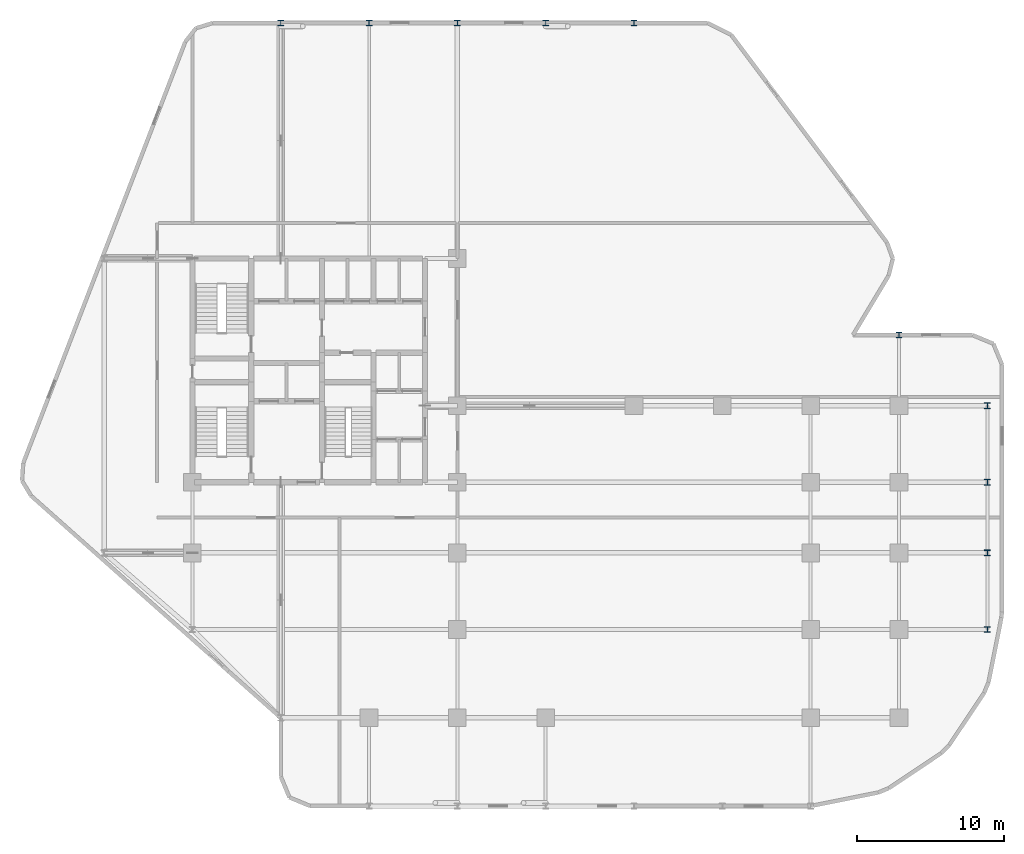
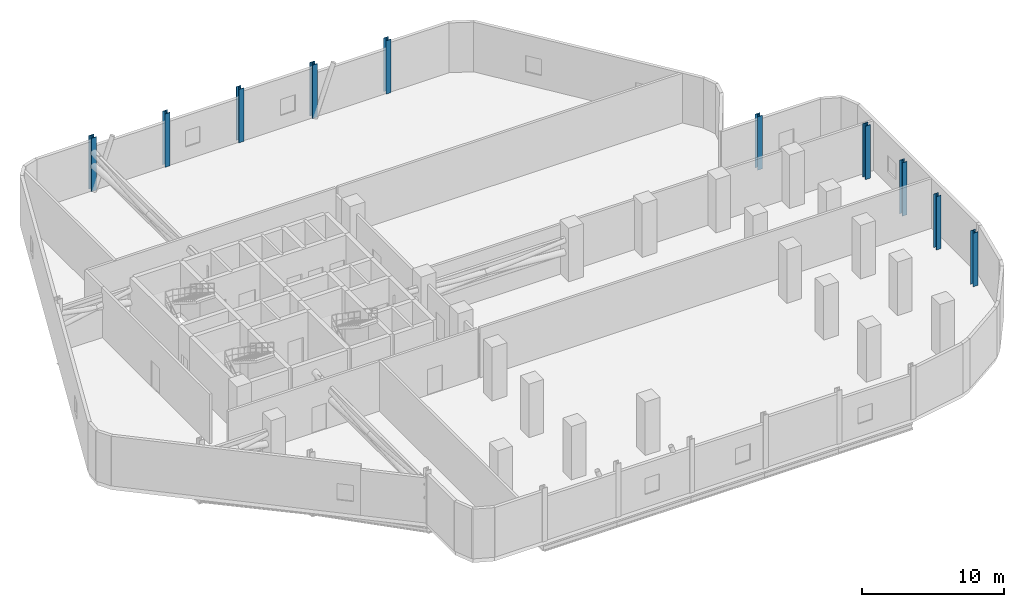
# One storey, part 2 of 9: 10 columns.
"""IFC4 building model written with IfcOpenShell, lengths in metres."""

import ifcopenshell
import ifcopenshell.guid

model = None  # the IFC model being written
_history = None  # IfcOwnerHistory: only IFC2X3 demands one
_inside = {}  # id of a spatial element -> (the spatial element, [elements in it])
_under = {}  # id of a project, library or spatial element -> (it, [spatial elements below it])
_declared = {}  # id of a project -> (the project, [libraries it declares])
_typed = {}  # id of a type object -> (the type object, [elements of that type])
_made_of = {}  # id of a material, layer set ... -> (it, [elements and type objects made of it])


def new_model(schema):
    """Start an empty IFC model of exactly this schema.

    Asked for "IFC4X3", IfcOpenShell would pick the latest addendum, in which some entities
    have other attributes; the version numbers below select the first issue.
    IFC2X3 requires an IfcOwnerHistory on every rooted entity: one is made here for all.
    """
    global model, _history
    if schema == "IFC4X3":
        model = ifcopenshell.file(schema_version=(4, 3, 0, 0))
    else:
        model = ifcopenshell.file(schema=schema)
    _inside.clear()
    _under.clear()
    _declared.clear()
    _typed.clear()
    _made_of.clear()
    _history = None
    if model.schema == "IFC2X3":
        org = make("IfcOrganization", Name="unknown")
        user = make(
            "IfcPersonAndOrganization",
            ThePerson=make("IfcPerson", FamilyName="unknown"),
            TheOrganization=org,
        )
        app = make(
            "IfcApplication",
            ApplicationDeveloper=org,
            Version="unknown",
            ApplicationFullName="unknown",
            ApplicationIdentifier="unknown",
        )
        _history = make(
            "IfcOwnerHistory",
            OwningUser=user,
            OwningApplication=app,
            ChangeAction="ADDED",
            CreationDate=0,
        )
    return model


def make(cls, **values):
    """One entity of the class cls with the attributes given. An attribute that is None is left unset."""
    return model.create_entity(
        cls, **{name: value for name, value in values.items() if value is not None}
    )


def rooted(cls, **values):
    """An entity with a GlobalId (a new one), such as an element, a storey or a relation."""
    return make(cls, GlobalId=ifcopenshell.guid.new(), OwnerHistory=_history, **values)


def si_unit(unit_type, name, prefix=None):
    """IfcSIUnit, for example si_unit("LENGTHUNIT", "METRE", prefix="MILLI")."""
    return make("IfcSIUnit", UnitType=unit_type, Prefix=prefix, Name=name)


def assignment(units):
    """IfcUnitAssignment: the units of a project."""
    return None if units is None else make("IfcUnitAssignment", Units=units)


def point(xyz):
    """IfcCartesianPoint."""
    return None if xyz is None else make("IfcCartesianPoint", Coordinates=xyz)


def direction(xyz):
    """IfcDirection."""
    return None if xyz is None else make("IfcDirection", DirectionRatios=xyz)


def frame(location, z_axis=None, x_axis=None):
    """IfcAxis2Placement3D, a coordinate frame: its origin and axes. An axis left out is left unset."""
    return make(
        "IfcAxis2Placement3D",
        Location=point(location),
        Axis=direction(z_axis),
        RefDirection=direction(x_axis),
    )


def frame_2d(location, x_axis=None):
    """IfcAxis2Placement2D, a coordinate frame in the plane: its origin and x axis."""
    return make(
        "IfcAxis2Placement2D", Location=point(location), RefDirection=direction(x_axis)
    )


def origin():
    """The frame at (0, 0, 0) with its axes left unset."""
    return frame((0.0, 0.0, 0.0))


def origin_2d():
    """The frame at (0, 0) in the plane with its x axis left unset."""
    return frame_2d((0.0, 0.0))


def place(relative_to, where):
    """IfcLocalPlacement: puts the frame where relative to a parent placement (None: the world)."""
    return make(
        "IfcLocalPlacement", PlacementRelTo=relative_to, RelativePlacement=where
    )


def context(
    kind, dimensions, precision=None, world=None, true_north=None, identifier=None
):
    """IfcGeometricRepresentationContext, for example the 3D "Model" context."""
    return make(
        "IfcGeometricRepresentationContext",
        ContextIdentifier=identifier,
        ContextType=kind,
        CoordinateSpaceDimension=dimensions,
        Precision=precision,
        WorldCoordinateSystem=world,
        TrueNorth=true_north,
    )


def subcontext(parent, identifier, kind, view, scale=None):
    """IfcGeometricRepresentationSubContext, for example "Body" below "Model"."""
    return make(
        "IfcGeometricRepresentationSubContext",
        ContextIdentifier=identifier,
        ContextType=kind,
        ParentContext=parent,
        TargetScale=scale,
        TargetView=view,
    )


def project(units=None, contexts=None):
    """IfcProject with its units and contexts."""
    return rooted(
        "IfcProject",
        Name="project",
        RepresentationContexts=contexts,
        UnitsInContext=assignment(units),
    )


def spatial(cls, under=None, at=None, **own):
    """A site, building, storey or space (cls), placed at a placement, below another one or the project."""
    s = rooted(cls, ObjectPlacement=at, **own)
    if under is not None:
        _under.setdefault(under.id(), (under, []))[1].append(s)
    return s


def profile(cls, at=None, kind="AREA", **sizes):
    """A parametric profile (cls). Its sizes go by their IFC names, for example OverallWidth=200.0."""
    return make(cls, ProfileType=kind, Position=at, **sizes)


def i_section(**sizes):
    """IfcIShapeProfileDef."""
    return profile("IfcIShapeProfileDef", **sizes)


def extrude(swept, where, along, depth):
    """IfcExtrudedAreaSolid: the profile swept, set in the frame where, extruded along a direction by depth."""
    return make(
        "IfcExtrudedAreaSolid",
        SweptArea=swept,
        Position=where,
        ExtrudedDirection=direction(along),
        Depth=depth,
    )


def shape(context_of_items, identifier, shape_type, items):
    """IfcShapeRepresentation: the items that make up one representation, for example the "Body"."""
    return make(
        "IfcShapeRepresentation",
        ContextOfItems=context_of_items,
        RepresentationIdentifier=identifier,
        RepresentationType=shape_type,
        Items=items,
    )


def material(Name=None, Category=None):
    """IfcMaterial."""
    return make("IfcMaterial", Name=Name, Category=Category)


def material_profile(
    of_material, cross_section, Name=None, Category=None, Priority=None
):
    """IfcMaterialProfile: a cross section and its material."""
    return make(
        "IfcMaterialProfile",
        Name=Name,
        Material=of_material,
        Profile=cross_section,
        Priority=Priority,
        Category=Category,
    )


def profile_set(profiles, Name=None, composite=None):
    """IfcMaterialProfileSet."""
    return make(
        "IfcMaterialProfileSet",
        Name=Name,
        MaterialProfiles=profiles,
        CompositeProfile=composite,
    )


def made_of(thing, what):
    """Note that an element or type object is made of a material, layer set ...; save() writes the relation."""
    if what is not None:
        _made_of.setdefault(what.id(), (what, []))[1].append(thing)
    return thing


def type_object(cls, material=None, **own):
    """A type object (cls), such as IfcWallType, which elements share."""
    return made_of(rooted(cls, **own), material)


def element(
    cls,
    number,
    at=None,
    inside=None,
    cuts=None,
    type_object=None,
    material=None,
    context=None,
    identifier="Body",
    shape_type=None,
    held_by="IfcProductDefinitionShape",
    body=None,
    shapes=None,
    **own,
):
    """One element of the class cls, such as IfcWall. Its Tag is "e" and its number.

    at: its placement. inside: the storey or other place that contains it. cuts: it is an
    opening in that element (IfcRelVoidsElement). A single representation is given by context,
    identifier, shape_type and body (its items); several are given by shapes. held_by: the class
    of the entity that holds the representations. save() writes the other relations.
    """
    e = rooted(cls, Tag="e%d" % number, ObjectPlacement=at, **own)
    if body is not None:
        shapes = [shape(context, identifier, shape_type, body)]
    if shapes is not None:
        e.Representation = make(held_by, Representations=shapes)
    if inside is not None:
        _inside.setdefault(inside.id(), (inside, []))[1].append(e)
    if cuts is not None:
        rooted(
            "IfcRelVoidsElement", RelatingBuildingElement=cuts, RelatedOpeningElement=e
        )
    if type_object is not None:
        _typed.setdefault(type_object.id(), (type_object, []))[1].append(e)
    return made_of(e, material)


def aggregate(whole, parts):
    """IfcRelAggregates: a whole, such as a stair, and the parts it consists of."""
    return rooted("IfcRelAggregates", RelatingObject=whole, RelatedObjects=parts)


def save(model, path):
    """Write the relations noted so far, then the file.

    IfcRelAggregates (storeys below a building ...), IfcRelContainedInSpatialStructure (elements
    in a storey), IfcRelDefinesByType, IfcRelAssociatesMaterial and IfcRelDeclares: one each for
    every whole, place, type object, material and project.
    """
    for whole, parts in _under.values():
        aggregate(whole, parts)
    for where, things in _inside.values():
        rooted(
            "IfcRelContainedInSpatialStructure",
            RelatedElements=things,
            RelatingStructure=where,
        )
    for kind, things in _typed.values():
        rooted("IfcRelDefinesByType", RelatedObjects=things, RelatingType=kind)
    for what, things in _made_of.values():
        rooted("IfcRelAssociatesMaterial", RelatedObjects=things, RelatingMaterial=what)
    for by, libraries in _declared.values():
        rooted("IfcRelDeclares", RelatingContext=by, RelatedDefinitions=libraries)
    model.write(path)


model = new_model("IFC4")

# Units and contexts
model_context = context("Model", 3, precision=1e-05, world=origin(), true_north=direction((0.0, 1.0)))
body_context = subcontext(model_context, "Body", "Model", "MODEL_VIEW")
ifc_project = project(units=[si_unit("LENGTHUNIT", "METRE"), si_unit("AREAUNIT", "SQUARE_METRE"), si_unit("VOLUMEUNIT", "CUBIC_METRE"), si_unit("PLANEANGLEUNIT", "RADIAN"), si_unit("MASSUNIT", "GRAM", prefix="KILO")], contexts=[model_context])

# Site, building, storey
site_placement = place(None, origin())
site = spatial("IfcSite", under=ifc_project, at=site_placement, CompositionType="ELEMENT")
building_placement = place(site_placement, origin())
building = spatial("IfcBuilding", under=site, at=building_placement, Name="Keshet Zoharim Tower", CompositionType="ELEMENT")
storey_placement = place(building_placement, frame((0.0, 0.0, 61.0)))
storey = spatial("IfcBuildingStorey", under=building, at=storey_placement, Name="L14", CompositionType="ELEMENT", Elevation=61.0)

# Columns
ifc_material = material(Name="Steel S355", Category="steel")
ifc_material_profile = material_profile(ifc_material, i_section(OverallWidth=0.40087890625, OverallDepth=0.39892578125, WebThickness=0.02490234375, FlangeThickness=0.03955078125, FilletRadius=0.014892578125, at=origin_2d()), Name="HD400x314")
ifc_profile_set = profile_set([ifc_material_profile], Name="Steel S355")
column_type = type_object("IfcColumnType", Name="COL-HD314", PredefinedType="COLUMN", material=ifc_profile_set)
for number, where, z_axis, x_axis, name in (
    (1, (21.0, 53.89990234375, 0.0), (0.0, 0.0, 1.0), (1.0, 0.0, 0.0), "L14 Column 4L"),
    (2, (27.0, 53.89990234375, 0.0), (0.0, 0.0, 1.0), (1.0, 0.0, 0.0), "L14 Column 5L"),
    (3, (33.0, 53.89990234375, 0.0), (0.0, 0.0, 1.0), (1.0, 0.0, 0.0), "L14 Column 6L"),
    (4, (39.0, 53.89990234375, 0.0), (0.0, 0.0, 1.0), (1.0, 0.0, 0.0), "L14 Column 7L"),
    (5, (45.0, 53.89990234375, 0.0), (0.0, 0.0, 1.0), (1.0, 0.0, 0.0), "L14 Column 8L"),
    (6, (63.0, 32.699951171875, 0.0), (0.0, 0.0, 1.0), (1.0, 0.0, 0.0), "L14 Column 11G"),
    (7, (69.0, 12.699951171875, 0.0), (0.0, 0.0, 1.0), (1.0, 0.0, 0.0), "L14 Column 12C"),
    (8, (69.0, 17.89990234375, 0.0), (0.0, 0.0, 1.0), (1.0, 0.0, 0.0), "L14 Column 12D"),
    (9, (69.0, 22.699951171875, 0.0), (0.0, 0.0, 1.0), (1.0, 0.0, 0.0), "L14 Column 12E"),
    (10, (69.0, 27.89990234375, 0.0), (0.0, 0.0, 1.0), (1.0, 0.0, 0.0), "L14 Column 12F"),
):
    element("IfcColumn", number, at=place(storey_placement, frame(where, z_axis=z_axis, x_axis=x_axis)), inside=storey, type_object=column_type, Name=name, PredefinedType="COLUMN", context=body_context, shape_type="SweptSolid", body=[
        extrude(i_section(OverallWidth=0.40087890625, OverallDepth=0.39892578125, WebThickness=0.02490234375, FlangeThickness=0.03955078125, FilletRadius=0.014892578125, at=origin_2d()), origin(), (0.0, 0.0, 1.0), 4.60009765625),
    ])

save(model, "model.ifc")
